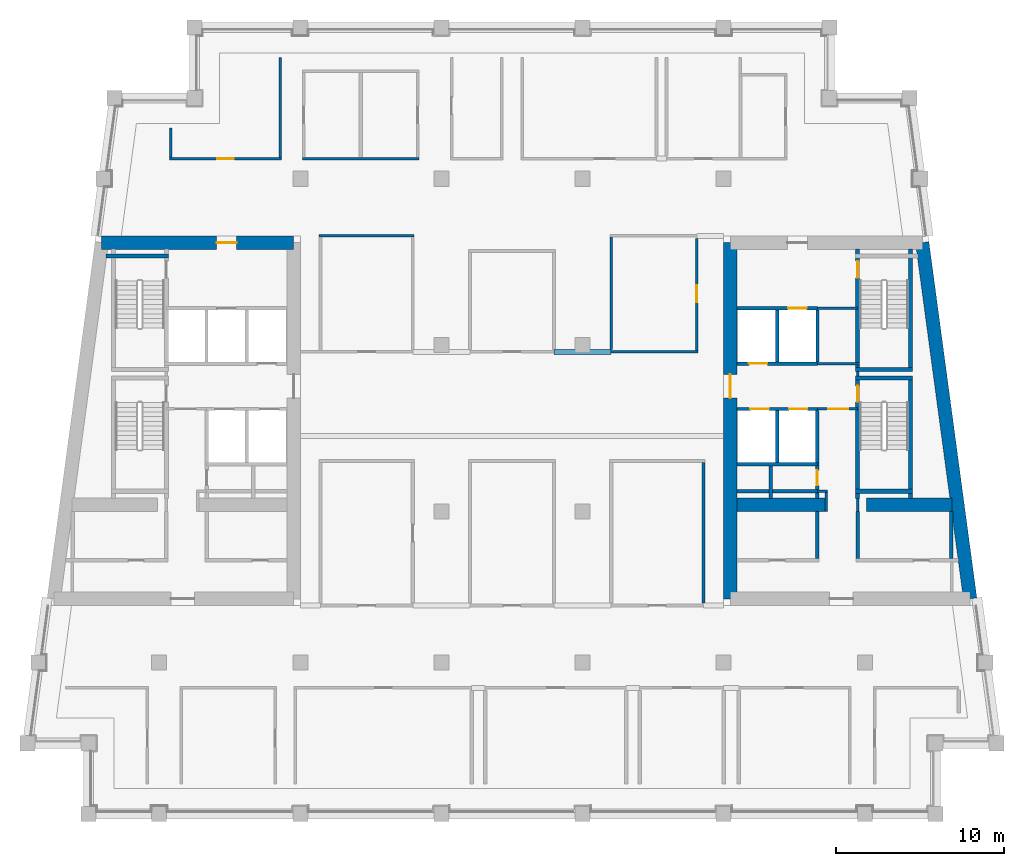
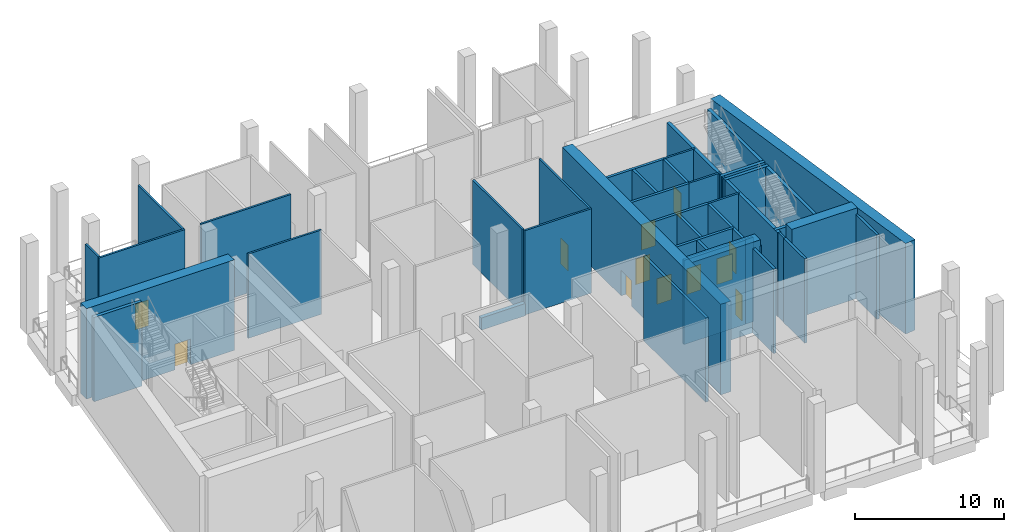
# One storey, part 4 of 10: 43 walls, 12 doors, 12 openings.
"""IFC4 building model written with IfcOpenShell, lengths in metres."""

from ifc_helpers import new_model, si_unit, direction, frame, frame_2d, origin, place, context, subcontext, project, spatial, rectangle, extrude, material, layer, layer_set, type_object, element, fill, save


model = new_model("IFC4")

# Units and contexts
model_context = context("Model", 3, precision=1e-05, world=origin(), true_north=direction((0.0, 1.0)))
body_context = subcontext(model_context, "Body", "Model", "MODEL_VIEW")
ifc_project = project(units=[si_unit("LENGTHUNIT", "METRE"), si_unit("AREAUNIT", "SQUARE_METRE"), si_unit("VOLUMEUNIT", "CUBIC_METRE"), si_unit("PLANEANGLEUNIT", "RADIAN"), si_unit("MASSUNIT", "GRAM", prefix="KILO")], contexts=[model_context])

# Site, building, storey
site_placement = place(None, origin())
site = spatial("IfcSite", under=ifc_project, at=site_placement, CompositionType="ELEMENT")
building_placement = place(site_placement, origin())
building = spatial("IfcBuilding", under=site, at=building_placement, Name="Candeia Pilgrim Tower and Theatre", CompositionType="ELEMENT")
storey_placement = place(building_placement, frame((0.0, 0.0, 246.60009765625)))
storey = spatial("IfcBuildingStorey", under=building, at=storey_placement, Name="L60", CompositionType="ELEMENT", Elevation=246.60009765625)

# Wall, opening, door
ifc_material_1 = material(Name="Concrete C50/60", Category="concrete")
ifc_layer_1 = layer(ifc_material_1, 0.800048828125)
ifc_layer_set_1 = layer_set([ifc_layer_1], Name="Core wall 800 C50/60")
wall_type_1 = type_object("IfcWallType", Name="Core wall 800 C50/60", PredefinedType="SHEAR", material=ifc_layer_set_1)
wall_1_placement = place(storey_placement, frame((88.98046875, 132.0, 0.0), z_axis=(0.0, 0.0, 1.0), x_axis=(1.0, 0.0, 0.0)))
wall_1 = element("IfcWall", 1, at=wall_1_placement, inside=storey, type_object=wall_type_1, Name="Core wall W1", PredefinedType="SHEAR", context=body_context, shape_type="SweptSolid", body=[
    extrude(rectangle(XDim=11.41943359375, YDim=0.800048828125, at=frame_2d((5.709716796875, 0.0))), origin(), (0.0, 0.0, 1.0), 7.39990234375),
])
opening_1_placement = place(wall_1_placement, frame((6.8330078125, 0.0, 0.0)))
opening_1 = element("IfcOpeningElement", 2, at=opening_1_placement, cuts=wall_1, Name="Opening L60-D035", PredefinedType="OPENING", context=body_context, shape_type="SweptSolid", body=[
    extrude(rectangle(XDim=1.199951171875, YDim=2.10009765625, at=frame_2d((0.60009765625, 1.050048828125))), frame((0.0, 0.41015625, 0.0), z_axis=(0.0, -1.0, 0.0), x_axis=(1.0, 0.0, 0.0)), (0.0, 0.0, 1.0), 0.820068359375),
])
ifc_material_2 = material(Name="Steel fire door set", Category="steel")
door_type_1 = type_object("IfcDoorType", Name="D-1200-FD60", OperationType="NOTDEFINED", PredefinedType="DOOR", material=ifc_material_2)
door_1_placement = place(opening_1_placement, origin())
door_1 = element("IfcDoor", 3, at=door_1_placement, inside=storey, type_object=door_type_1, Name="Door L60-D035", OperationType="SINGLE_SWING_LEFT", OverallHeight=2.10009765625, OverallWidth=1.199951171875, PredefinedType="DOOR", context=body_context, shape_type="SweptSolid", body=[
    extrude(rectangle(XDim=1.199951171875, YDim=2.10009765625, at=frame_2d((0.60009765625, 1.050048828125))), frame((0.0, 0.02490234375, 0.0), z_axis=(0.0, -1.0, 0.0), x_axis=(1.0, 0.0, 0.0)), (0.0, 0.0, 1.0), 0.050048828125),
])
fill(opening_1, door_1)

# Wall
wall_2_placement = place(storey_placement, frame((137.819580078125, 132.0, 0.0), z_axis=(0.0, 0.0, 1.0), x_axis=(0.133408347329, -0.991061154956, 0.0)))
element("IfcWall", 4, at=wall_2_placement, inside=storey, type_object=wall_type_1, Name="Core wall E2", PredefinedType="SHEAR", context=body_context, shape_type="SweptSolid", body=[
    extrude(rectangle(XDim=21.39111328125, YDim=0.800048828125, at=frame_2d((10.695556640625, 0.0))), origin(), (0.0, 0.0, 1.0), 7.39990234375),
])

# Wall, opening, door
wall_3_placement = place(storey_placement, frame((126.39990234375, 110.800048828125, 0.0), z_axis=(0.0, 0.0, 1.0), x_axis=(0.0, 1.0, 0.0)))
wall_3 = element("IfcWall", 5, at=wall_3_placement, inside=storey, type_object=wall_type_1, Name="Core wall E4", PredefinedType="SHEAR", context=body_context, shape_type="SweptSolid", body=[
    extrude(rectangle(XDim=21.199951171875, YDim=0.800048828125, at=frame_2d((10.60009765625, 0.0))), origin(), (0.0, 0.0, 1.0), 7.39990234375),
])
opening_2_placement = place(wall_3_placement, frame((11.949951171875, 0.0, 0.0)))
opening_2 = element("IfcOpeningElement", 6, at=opening_2_placement, cuts=wall_3, Name="Opening L60-D039", PredefinedType="OPENING", context=body_context, shape_type="SweptSolid", body=[
    extrude(rectangle(XDim=1.39990234375, YDim=2.10009765625, at=frame_2d((0.699951171875, 1.050048828125))), frame((0.0, 0.41015625, 0.0), z_axis=(0.0, -1.0, 0.0), x_axis=(1.0, 0.0, 0.0)), (0.0, 0.0, 1.0), 0.820068359375),
])
door_type_2 = type_object("IfcDoorType", Name="D-1400-FD60", OperationType="NOTDEFINED", PredefinedType="DOOR", material=ifc_material_2)
door_2_placement = place(opening_2_placement, origin())
door_2 = element("IfcDoor", 7, at=door_2_placement, inside=storey, type_object=door_type_2, Name="Door L60-D039", OperationType="SINGLE_SWING_LEFT", OverallHeight=2.10009765625, OverallWidth=1.39990234375, PredefinedType="DOOR", context=body_context, shape_type="SweptSolid", body=[
    extrude(rectangle(XDim=1.39990234375, YDim=2.10009765625, at=frame_2d((0.699951171875, 1.050048828125))), frame((0.0, 0.02490234375, 0.0), z_axis=(0.0, -1.0, 0.0), x_axis=(1.0, 0.0, 0.0)), (0.0, 0.0, 1.0), 0.050048828125),
])
fill(opening_2, door_2)

# Walls
wall_4_placement = place(storey_placement, frame((126.800048828125, 116.39990234375, 0.0), z_axis=(0.0, 0.0, 1.0), x_axis=(1.0, 0.0, 0.0)))
element("IfcWall", 8, at=wall_4_placement, inside=storey, type_object=wall_type_1, Name="Core wall E5", PredefinedType="SHEAR", context=body_context, shape_type="SweptSolid", body=[
    extrude(rectangle(XDim=5.300048828125, YDim=0.800048828125, at=frame_2d((2.64990234375, 0.0))), origin(), (0.0, 0.0, 1.0), 7.39990234375),
])
wall_5_placement = place(storey_placement, frame((134.5, 116.39990234375, 0.0), z_axis=(0.0, 0.0, 1.0), x_axis=(1.0, 0.0, 0.0)))
element("IfcWall", 9, at=wall_5_placement, inside=storey, type_object=wall_type_1, Name="Core wall E6", PredefinedType="SHEAR", context=body_context, shape_type="SweptSolid", body=[
    extrude(rectangle(XDim=5.076904296875, YDim=0.800048828125, at=frame_2d((2.53857421875, 0.0))), origin(), (0.0, 0.0, 1.0), 7.39990234375),
])
ifc_material_3 = material(Name="Concrete C30/37", Category="concrete")
ifc_layer_2 = layer(ifc_material_3, 0.300048828125)
ifc_layer_set_2 = layer_set([ifc_layer_2], Name="PL-300 planter kerb")
wall_type_2 = type_object("IfcWallType", Name="PL-300 planter kerb", PredefinedType="PARTITIONING", material=ifc_layer_set_2)
wall_6_placement = place(storey_placement, frame((115.89990234375, 125.5, 0.0), z_axis=(0.0, 0.0, 1.0), x_axis=(1.0, 0.0, 0.0)))
element("IfcWall", 10, at=wall_6_placement, inside=storey, type_object=wall_type_2, Name="Planter kerb L60-046", PredefinedType="PARTITIONING", context=body_context, shape_type="SweptSolid", body=[
    extrude(rectangle(XDim=3.400146484375, YDim=0.300048828125, at=frame_2d((1.7001953125, 0.0))), origin(), (0.0, 0.0, 1.0), 1.0),
])
ifc_material_4 = material(Name="Gypsum board partition on steel studs", Category="steel")
ifc_layer_3 = layer(ifc_material_4, 0.14990234375)
ifc_layer_set_3 = layer_set([ifc_layer_3], Name="PW-150 lobby wall")
wall_type_3 = type_object("IfcWallType", Name="PW-150 lobby wall", PredefinedType="PARTITIONING", material=ifc_layer_set_3)
wall_7_placement = place(storey_placement, frame((131.572998046875, 117.199951171875, 0.0), z_axis=(0.0, 0.0, 1.0), x_axis=(1.0, 0.0, 0.0)))
element("IfcWall", 11, at=wall_7_placement, inside=storey, type_object=wall_type_3, Name="Lobby wall L60-025", PredefinedType="PARTITIONING", context=body_context, shape_type="SweptSolid", body=[
    extrude(rectangle(XDim=0.60205078125, YDim=0.14990234375, at=frame_2d((0.301025390625, 0.0))), origin(), (0.0, 0.0, 1.0), 6.89990234375),
])

# Wall, opening, door
wall_8_placement = place(storey_placement, frame((131.572998046875, 122.10009765625, 0.0), z_axis=(0.0, 0.0, 1.0), x_axis=(1.0, 0.0, 0.0)))
wall_8 = element("IfcWall", 12, at=wall_8_placement, inside=storey, type_object=wall_type_3, Name="Lobby wall L60-037", PredefinedType="PARTITIONING", context=body_context, shape_type="SweptSolid", body=[
    extrude(rectangle(XDim=2.39990234375, YDim=0.14990234375, at=frame_2d((1.199951171875, 0.0))), origin(), (0.0, 0.0, 1.0), 6.89990234375),
])
opening_3_placement = place(wall_8_placement, frame((0.64990234375, 0.0, 0.0)))
opening_3 = element("IfcOpeningElement", 13, at=opening_3_placement, cuts=wall_8, Name="Opening L60-D028", PredefinedType="OPENING", context=body_context, shape_type="SweptSolid", body=[
    extrude(rectangle(XDim=1.199951171875, YDim=2.10009765625, at=frame_2d((0.60009765625, 1.050048828125))), frame((0.0, 0.0849609375, 0.0), z_axis=(0.0, -1.0, 0.0), x_axis=(1.0, 0.0, 0.0)), (0.0, 0.0, 1.0), 0.169921875),
])
door_3_placement = place(opening_3_placement, origin())
door_3 = element("IfcDoor", 14, at=door_3_placement, inside=storey, type_object=door_type_1, Name="Door L60-D028", OperationType="SINGLE_SWING_RIGHT", OverallHeight=2.10009765625, OverallWidth=1.199951171875, PredefinedType="DOOR", context=body_context, shape_type="SweptSolid", body=[
    extrude(rectangle(XDim=1.199951171875, YDim=2.10009765625, at=frame_2d((0.60009765625, 1.050048828125))), frame((0.0, 0.02490234375, 0.0), z_axis=(0.0, -1.0, 0.0), x_axis=(1.0, 0.0, 0.0)), (0.0, 0.0, 1.0), 0.050048828125),
])
fill(opening_3, door_3)

# Walls
wall_9_placement = place(storey_placement, frame((131.58203125, 124.800048828125, 0.0), z_axis=(0.0, 0.0, 1.0), x_axis=(1.0, 0.0, 0.0)))
element("IfcWall", 15, at=wall_9_placement, inside=storey, type_object=wall_type_3, Name="Lobby wall L60-044", PredefinedType="PARTITIONING", context=body_context, shape_type="SweptSolid", body=[
    extrude(rectangle(XDim=2.515869140625, YDim=0.14990234375, at=frame_2d((1.2578125, 0.0))), origin(), (0.0, 0.0, 1.0), 6.89990234375),
])
wall_10_placement = place(storey_placement, frame((131.58203125, 128.10009765625, 0.0), z_axis=(0.0, 0.0, 1.0), x_axis=(1.0, 0.0, 0.0)))
element("IfcWall", 16, at=wall_10_placement, inside=storey, type_object=wall_type_3, Name="Lobby wall L60-052", PredefinedType="PARTITIONING", context=body_context, shape_type="SweptSolid", body=[
    extrude(rectangle(XDim=2.390869140625, YDim=0.14990234375, at=frame_2d((1.1953125, 0.0))), origin(), (0.0, 0.0, 1.0), 6.89990234375),
])
wall_11_placement = place(storey_placement, frame((132.10009765625, 116.0, 0.0), z_axis=(0.0, 0.0, 1.0), x_axis=(0.0, 1.0, 0.0)))
element("IfcWall", 17, at=wall_11_placement, inside=storey, type_object=wall_type_3, Name="Lobby wall L60-124", PredefinedType="PARTITIONING", context=body_context, shape_type="SweptSolid", body=[
    extrude(rectangle(XDim=1.125, YDim=0.14990234375, at=frame_2d((0.5625, 0.0))), origin(), (0.0, 0.0, 1.0), 6.89990234375),
])
wall_12_placement = place(storey_placement, frame((133.972900390625, 116.0, 0.0), z_axis=(0.0, 0.0, 1.0), x_axis=(0.0, 1.0, 0.0)))
element("IfcWall", 18, at=wall_12_placement, inside=storey, type_object=wall_type_3, Name="Lobby wall L60-127", PredefinedType="PARTITIONING", context=body_context, shape_type="SweptSolid", body=[
    extrude(rectangle(XDim=0.77001953125, YDim=0.14990234375, at=frame_2d((0.385009765625, 0.0))), origin(), (0.0, 0.0, 1.0), 6.89990234375),
])
wall_13_placement = place(storey_placement, frame((133.972900390625, 124.074951171875, 0.0), z_axis=(0.0, 0.0, 1.0), x_axis=(0.0, 1.0, 0.0)))
element("IfcWall", 19, at=wall_13_placement, inside=storey, type_object=wall_type_3, Name="Lobby wall L60-128", PredefinedType="PARTITIONING", context=body_context, shape_type="SweptSolid", body=[
    extrude(rectangle(XDim=0.25, YDim=0.14990234375, at=frame_2d((0.125, 0.0))), origin(), (0.0, 0.0, 1.0), 6.89990234375),
])
ifc_layer_4 = layer(ifc_material_4, 0.14990234375)
ifc_layer_set_4 = layer_set([ifc_layer_4], Name="PW-150 unit wall")
wall_type_4 = type_object("IfcWallType", Name="PW-150 unit wall", PredefinedType="PARTITIONING", material=ifc_layer_set_4)
wall_14_placement = place(storey_placement, frame((119.300048828125, 125.5, 0.0), z_axis=(0.0, 0.0, 1.0), x_axis=(1.0, 0.0, 0.0)))
element("IfcWall", 20, at=wall_14_placement, inside=storey, type_object=wall_type_4, Name="Unit wall L60-049", PredefinedType="PARTITIONING", context=body_context, shape_type="SweptSolid", body=[
    extrude(rectangle(XDim=5.175048828125, YDim=0.14990234375, at=frame_2d((2.58740234375, 0.0))), origin(), (0.0, 0.0, 1.0), 6.89990234375),
])
wall_15_placement = place(storey_placement, frame((101.89990234375, 132.39990234375, 0.0), z_axis=(0.0, 0.0, 1.0), x_axis=(1.0, 0.0, 0.0)))
element("IfcWall", 21, at=wall_15_placement, inside=storey, type_object=wall_type_4, Name="Unit wall L60-057", PredefinedType="PARTITIONING", context=body_context, shape_type="SweptSolid", body=[
    extrude(rectangle(XDim=5.675048828125, YDim=0.14990234375, at=frame_2d((2.83740234375, 0.0))), origin(), (0.0, 0.0, 1.0), 6.89990234375),
])

# Wall, opening, door
wall_16_placement = place(storey_placement, frame((93.02490234375, 137.0, 0.0), z_axis=(0.0, 0.0, 1.0), x_axis=(1.0, 0.0, 0.0)))
wall_16 = element("IfcWall", 22, at=wall_16_placement, inside=storey, type_object=wall_type_4, Name="Unit wall L60-060", PredefinedType="PARTITIONING", context=body_context, shape_type="SweptSolid", body=[
    extrude(rectangle(XDim=6.650146484375, YDim=0.14990234375, at=frame_2d((3.3251953125, 0.0))), origin(), (0.0, 0.0, 1.0), 6.89990234375),
])
opening_4_placement = place(wall_16_placement, frame((2.824951171875, 0.0, 0.0)))
opening_4 = element("IfcOpeningElement", 23, at=opening_4_placement, cuts=wall_16, Name="Opening L60-D014", PredefinedType="OPENING", context=body_context, shape_type="SweptSolid", body=[
    extrude(rectangle(XDim=1.0, YDim=2.10009765625, at=frame_2d((0.5, 1.050048828125))), frame((0.0, 0.0849609375, 0.0), z_axis=(0.0, -1.0, 0.0), x_axis=(1.0, 0.0, 0.0)), (0.0, 0.0, 1.0), 0.169921875),
])
ifc_material_5 = material(Name="Timber door leaf", Category="wood")
door_type_3 = type_object("IfcDoorType", Name="D-1000", OperationType="NOTDEFINED", PredefinedType="DOOR", material=ifc_material_5)
door_4_placement = place(opening_4_placement, origin())
door_4 = element("IfcDoor", 24, at=door_4_placement, inside=storey, type_object=door_type_3, Name="Door L60-D014", OperationType="SINGLE_SWING_RIGHT", OverallHeight=2.10009765625, OverallWidth=1.0, PredefinedType="DOOR", context=body_context, shape_type="SweptSolid", body=[
    extrude(rectangle(XDim=1.0, YDim=2.10009765625, at=frame_2d((0.5, 1.050048828125))), frame((0.0, 0.02490234375, 0.0), z_axis=(0.0, -1.0, 0.0), x_axis=(1.0, 0.0, 0.0)), (0.0, 0.0, 1.0), 0.050048828125),
])
fill(opening_4, door_4)

# Walls
wall_17_placement = place(storey_placement, frame((100.925048828125, 137.0, 0.0), z_axis=(0.0, 0.0, 1.0), x_axis=(1.0, 0.0, 0.0)))
element("IfcWall", 25, at=wall_17_placement, inside=storey, type_object=wall_type_4, Name="Unit wall L60-061", PredefinedType="PARTITIONING", context=body_context, shape_type="SweptSolid", body=[
    extrude(rectangle(XDim=6.949951171875, YDim=0.14990234375, at=frame_2d((3.47509765625, 0.0))), origin(), (0.0, 0.0, 1.0), 6.89990234375),
])
wall_18_placement = place(storey_placement, frame((93.10009765625, 137.074951171875, 0.0), z_axis=(0.0, 0.0, 1.0), x_axis=(0.0, 1.0, 0.0)))
element("IfcWall", 26, at=wall_18_placement, inside=storey, type_object=wall_type_4, Name="Unit wall L60-077", PredefinedType="PARTITIONING", context=body_context, shape_type="SweptSolid", body=[
    extrude(rectangle(XDim=1.735107421875, YDim=0.14990234375, at=frame_2d((0.86767578125, 0.0))), origin(), (0.0, 0.0, 1.0), 6.89990234375),
])
wall_19_placement = place(storey_placement, frame((99.60009765625, 137.074951171875, 0.0), z_axis=(0.0, 0.0, 1.0), x_axis=(0.0, 1.0, 0.0)))
element("IfcWall", 27, at=wall_19_placement, inside=storey, type_object=wall_type_4, Name="Unit wall L60-087", PredefinedType="PARTITIONING", context=body_context, shape_type="SweptSolid", body=[
    extrude(rectangle(XDim=5.93505859375, YDim=0.14990234375, at=frame_2d((2.967529296875, 0.0))), origin(), (0.0, 0.0, 1.0), 6.89990234375),
])
wall_20_placement = place(storey_placement, frame((119.300048828125, 125.64990234375, 0.0), z_axis=(0.0, 0.0, 1.0), x_axis=(0.0, 1.0, 0.0)))
element("IfcWall", 28, at=wall_20_placement, inside=storey, type_object=wall_type_4, Name="Unit wall L60-106", PredefinedType="PARTITIONING", context=body_context, shape_type="SweptSolid", body=[
    extrude(rectangle(XDim=6.675048828125, YDim=0.14990234375, at=frame_2d((3.33740234375, 0.0))), origin(), (0.0, 0.0, 1.0), 6.89990234375),
])

# Wall, opening, door
wall_21_placement = place(storey_placement, frame((124.39990234375, 125.574951171875, 0.0), z_axis=(0.0, 0.0, 1.0), x_axis=(0.0, 1.0, 0.0)))
wall_21 = element("IfcWall", 29, at=wall_21_placement, inside=storey, type_object=wall_type_4, Name="Unit wall L60-111", PredefinedType="PARTITIONING", context=body_context, shape_type="SweptSolid", body=[
    extrude(rectangle(XDim=6.675048828125, YDim=0.14990234375, at=frame_2d((3.33740234375, 0.0))), origin(), (0.0, 0.0, 1.0), 6.89990234375),
])
opening_5_placement = place(wall_21_placement, frame((2.875, 0.0, 0.0)))
opening_5 = element("IfcOpeningElement", 30, at=opening_5_placement, cuts=wall_21, Name="Opening L60-D020", PredefinedType="OPENING", context=body_context, shape_type="SweptSolid", body=[
    extrude(rectangle(XDim=1.0, YDim=2.10009765625, at=frame_2d((0.5, 1.050048828125))), frame((0.0, 0.0849609375, 0.0), z_axis=(0.0, -1.0, 0.0), x_axis=(1.0, 0.0, 0.0)), (0.0, 0.0, 1.0), 0.169921875),
])
door_5_placement = place(opening_5_placement, origin())
door_5 = element("IfcDoor", 31, at=door_5_placement, inside=storey, type_object=door_type_3, Name="Door L60-D020", OperationType="SINGLE_SWING_RIGHT", OverallHeight=2.10009765625, OverallWidth=1.0, PredefinedType="DOOR", context=body_context, shape_type="SweptSolid", body=[
    extrude(rectangle(XDim=1.0, YDim=2.10009765625, at=frame_2d((0.5, 1.050048828125))), frame((0.0, 0.02490234375, 0.0), z_axis=(0.0, -1.0, 0.0), x_axis=(1.0, 0.0, 0.0)), (0.0, 0.0, 1.0), 0.050048828125),
])
fill(opening_5, door_5)

# Walls
ifc_layer_5 = layer(ifc_material_4, 0.199951171875)
ifc_layer_set_5 = layer_set([ifc_layer_5], Name="PW-200 party wall")
wall_type_5 = type_object("IfcWallType", Name="PW-200 party wall", PredefinedType="PARTITIONING", material=ifc_layer_set_5)
wall_22_placement = place(storey_placement, frame((124.800048828125, 110.550048828125, 0.0), z_axis=(0.0, 0.0, 1.0), x_axis=(0.0, 1.0, 0.0)))
element("IfcWall", 32, at=wall_22_placement, inside=storey, type_object=wall_type_5, Name="Party wall L60-112", PredefinedType="PARTITIONING", context=body_context, shape_type="SweptSolid", body=[
    extrude(rectangle(XDim=8.349853515625, YDim=0.199951171875, at=frame_2d((4.1748046875, 0.0))), origin(), (0.0, 0.0, 1.0), 6.89990234375),
])
ifc_material_6 = material(Name="Concrete C40/50", Category="concrete")
ifc_layer_6 = layer(ifc_material_6, 0.199951171875)
ifc_layer_set_6 = layer_set([ifc_layer_6], Name="SW-200 shaft wall")
wall_type_6 = type_object("IfcWallType", Name="SW-200 shaft wall", PredefinedType="PARTITIONING", material=ifc_layer_set_6)
for number, where, z_axis, x_axis, name in (
    (33, (126.800048828125, 117.199951171875, 0.0), (0.0, 0.0, 1.0), (1.0, 0.0, 0.0), "Shaft wall L60-023"),
    (34, (126.800048828125, 118.800048828125, 0.0), (0.0, 0.0, 1.0), (1.0, 0.0, 0.0), "Shaft wall L60-029"),
):
    element("IfcWall", number, at=place(storey_placement, frame(where, z_axis=z_axis, x_axis=x_axis)), inside=storey, type_object=wall_type_6, Name=name, PredefinedType="PARTITIONING", context=body_context, shape_type="SweptSolid", body=[
        extrude(rectangle(XDim=4.77294921875, YDim=0.199951171875, at=frame_2d((2.386474609375, 0.0))), origin(), (0.0, 0.0, 1.0), 6.89990234375),
    ])

# Wall, openings, doors
wall_23_placement = place(storey_placement, frame((126.800048828125, 122.10009765625, 0.0), z_axis=(0.0, 0.0, 1.0), x_axis=(1.0, 0.0, 0.0)))
wall_23 = element("IfcWall", 35, at=wall_23_placement, inside=storey, type_object=wall_type_6, Name="Shaft wall L60-035", PredefinedType="PARTITIONING", context=body_context, shape_type="SweptSolid", body=[
    extrude(rectangle(XDim=4.77294921875, YDim=0.199951171875, at=frame_2d((2.386474609375, 0.0))), origin(), (0.0, 0.0, 1.0), 6.89990234375),
])
opening_6_placement = place(wall_23_placement, frame((3.087890625, 0.0, 0.0)))
opening_6 = element("IfcOpeningElement", 36, at=opening_6_placement, cuts=wall_23, Name="Opening L60-LD05", PredefinedType="OPENING", context=body_context, shape_type="SweptSolid", body=[
    extrude(rectangle(XDim=1.10009765625, YDim=2.10009765625, at=frame_2d((0.550048828125, 1.050048828125))), frame((0.0, 0.10986328125, 0.0), z_axis=(0.0, -1.0, 0.0), x_axis=(1.0, 0.0, 0.0)), (0.0, 0.0, 1.0), 0.219970703125),
])
opening_7_placement = place(wall_23_placement, frame((0.7900390625, 0.0, 0.0)))
opening_7 = element("IfcOpeningElement", 37, at=opening_7_placement, cuts=wall_23, Name="Opening L60-LD06", PredefinedType="OPENING", context=body_context, shape_type="SweptSolid", body=[
    extrude(rectangle(XDim=1.10009765625, YDim=2.10009765625, at=frame_2d((0.550048828125, 1.050048828125))), frame((0.0, 0.10986328125, 0.0), z_axis=(0.0, -1.0, 0.0), x_axis=(1.0, 0.0, 0.0)), (0.0, 0.0, 1.0), 0.219970703125),
])
ifc_material_7 = material(Name="Glazed aluminium landing door", Category="aluminium")
door_type_4 = type_object("IfcDoorType", Name="LD-1100-EI120", OperationType="SLIDING_TO_LEFT", PredefinedType="DOOR", material=ifc_material_7)
door_6_placement = place(opening_6_placement, origin())
door_6 = element("IfcDoor", 38, at=door_6_placement, inside=storey, type_object=door_type_4, Name="Landing door 05 L60", OperationType="SLIDING_TO_LEFT", OverallHeight=2.10009765625, OverallWidth=1.10009765625, PredefinedType="DOOR", context=body_context, shape_type="SweptSolid", body=[
    extrude(rectangle(XDim=1.10009765625, YDim=2.10009765625, at=frame_2d((0.550048828125, 1.050048828125))), frame((0.0, 0.02490234375, 0.0), z_axis=(0.0, -1.0, 0.0), x_axis=(1.0, 0.0, 0.0)), (0.0, 0.0, 1.0), 0.050048828125),
])
fill(opening_6, door_6)
door_7_placement = place(opening_7_placement, origin())
door_7 = element("IfcDoor", 39, at=door_7_placement, inside=storey, type_object=door_type_4, Name="Landing door 06 L60", OperationType="SLIDING_TO_LEFT", OverallHeight=2.10009765625, OverallWidth=1.10009765625, PredefinedType="DOOR", context=body_context, shape_type="SweptSolid", body=[
    extrude(rectangle(XDim=1.10009765625, YDim=2.10009765625, at=frame_2d((0.550048828125, 1.050048828125))), frame((0.0, 0.02490234375, 0.0), z_axis=(0.0, -1.0, 0.0), x_axis=(1.0, 0.0, 0.0)), (0.0, 0.0, 1.0), 0.050048828125),
])
fill(opening_7, door_7)

# Wall, opening, door
wall_24_placement = place(storey_placement, frame((126.800048828125, 124.800048828125, 0.0), z_axis=(0.0, 0.0, 1.0), x_axis=(1.0, 0.0, 0.0)))
wall_24 = element("IfcWall", 40, at=wall_24_placement, inside=storey, type_object=wall_type_6, Name="Shaft wall L60-043", PredefinedType="PARTITIONING", context=body_context, shape_type="SweptSolid", body=[
    extrude(rectangle(XDim=4.781982421875, YDim=0.199951171875, at=frame_2d((2.39111328125, 0.0))), origin(), (0.0, 0.0, 1.0), 6.89990234375),
])
opening_8_placement = place(wall_24_placement, frame((0.705078125, 0.0, 0.0)))
opening_8 = element("IfcOpeningElement", 41, at=opening_8_placement, cuts=wall_24, Name="Opening L60-LD08", PredefinedType="OPENING", context=body_context, shape_type="SweptSolid", body=[
    extrude(rectangle(XDim=1.10009765625, YDim=2.10009765625, at=frame_2d((0.550048828125, 1.050048828125))), frame((0.0, 0.10986328125, 0.0), z_axis=(0.0, -1.0, 0.0), x_axis=(1.0, 0.0, 0.0)), (0.0, 0.0, 1.0), 0.219970703125),
])
door_8_placement = place(opening_8_placement, origin())
door_8 = element("IfcDoor", 42, at=door_8_placement, inside=storey, type_object=door_type_4, Name="Landing door 08 L60", OperationType="SLIDING_TO_LEFT", OverallHeight=2.10009765625, OverallWidth=1.10009765625, PredefinedType="DOOR", context=body_context, shape_type="SweptSolid", body=[
    extrude(rectangle(XDim=1.10009765625, YDim=2.10009765625, at=frame_2d((0.550048828125, 1.050048828125))), frame((0.0, 0.02490234375, 0.0), z_axis=(0.0, -1.0, 0.0), x_axis=(1.0, 0.0, 0.0)), (0.0, 0.0, 1.0), 0.050048828125),
])
fill(opening_8, door_8)

wall_25_placement = place(storey_placement, frame((126.800048828125, 128.10009765625, 0.0), z_axis=(0.0, 0.0, 1.0), x_axis=(1.0, 0.0, 0.0)))
wall_25 = element("IfcWall", 43, at=wall_25_placement, inside=storey, type_object=wall_type_6, Name="Shaft wall L60-051", PredefinedType="PARTITIONING", context=body_context, shape_type="SweptSolid", body=[
    extrude(rectangle(XDim=4.781982421875, YDim=0.199951171875, at=frame_2d((2.39111328125, 0.0))), origin(), (0.0, 0.0, 1.0), 6.89990234375),
])
opening_9_placement = place(wall_25_placement, frame((3.035888671875, 0.0, 0.0)))
opening_9 = element("IfcOpeningElement", 44, at=opening_9_placement, cuts=wall_25, Name="Opening L60-LD07", PredefinedType="OPENING", context=body_context, shape_type="SweptSolid", body=[
    extrude(rectangle(XDim=1.10009765625, YDim=2.10009765625, at=frame_2d((0.550048828125, 1.050048828125))), frame((0.0, 0.10986328125, 0.0), z_axis=(0.0, -1.0, 0.0), x_axis=(1.0, 0.0, 0.0)), (0.0, 0.0, 1.0), 0.219970703125),
])
door_9_placement = place(opening_9_placement, origin())
door_9 = element("IfcDoor", 45, at=door_9_placement, inside=storey, type_object=door_type_4, Name="Landing door 07 L60", OperationType="SLIDING_TO_LEFT", OverallHeight=2.10009765625, OverallWidth=1.10009765625, PredefinedType="DOOR", context=body_context, shape_type="SweptSolid", body=[
    extrude(rectangle(XDim=1.10009765625, YDim=2.10009765625, at=frame_2d((0.550048828125, 1.050048828125))), frame((0.0, 0.02490234375, 0.0), z_axis=(0.0, -1.0, 0.0), x_axis=(1.0, 0.0, 0.0)), (0.0, 0.0, 1.0), 0.050048828125),
])
fill(opening_9, door_9)

# Walls
wall_26_placement = place(storey_placement, frame((128.800048828125, 116.77001953125, 0.0), z_axis=(0.0, 0.0, 1.0), x_axis=(0.0, 1.0, 0.0)))
element("IfcWall", 46, at=wall_26_placement, inside=storey, type_object=wall_type_6, Name="Shaft wall L60-117", PredefinedType="PARTITIONING", context=body_context, shape_type="SweptSolid", body=[
    extrude(rectangle(XDim=1.929931640625, YDim=0.199951171875, at=frame_2d((0.96484375, 0.0))), origin(), (0.0, 0.0, 1.0), 6.89990234375),
])
for number, where, z_axis, x_axis, name in (
    (47, (129.1865234375, 118.89990234375, 0.0), (0.0, 0.0, 1.0), (0.0, 1.0, 0.0), "Shaft wall L60-118"),
    (48, (129.19091796875, 124.89990234375, 0.0), (0.0, 0.0, 1.0), (0.0, 1.0, 0.0), "Shaft wall L60-119"),
):
    element("IfcWall", number, at=place(storey_placement, frame(where, z_axis=z_axis, x_axis=x_axis)), inside=storey, type_object=wall_type_6, Name=name, PredefinedType="PARTITIONING", context=body_context, shape_type="SweptSolid", body=[
        extrude(rectangle(XDim=3.10009765625, YDim=0.199951171875, at=frame_2d((1.550048828125, 0.0))), origin(), (0.0, 0.0, 1.0), 6.89990234375),
    ])
wall_27_placement = place(storey_placement, frame((131.572998046875, 113.199951171875, 0.0), z_axis=(0.0, 0.0, 1.0), x_axis=(0.0, 1.0, 0.0)))
element("IfcWall", 49, at=wall_27_placement, inside=storey, type_object=wall_type_6, Name="Shaft wall L60-121", PredefinedType="PARTITIONING", context=body_context, shape_type="SweptSolid", body=[
    extrude(rectangle(XDim=2.800048828125, YDim=0.199951171875, at=frame_2d((1.39990234375, 0.0))), origin(), (0.0, 0.0, 1.0), 6.89990234375),
])

# Wall, opening, door
wall_28_placement = place(storey_placement, frame((131.572998046875, 116.77001953125, 0.0), z_axis=(0.0, 0.0, 1.0), x_axis=(0.0, 1.0, 0.0)))
wall_28 = element("IfcWall", 50, at=wall_28_placement, inside=storey, type_object=wall_type_6, Name="Shaft wall L60-122", PredefinedType="PARTITIONING", context=body_context, shape_type="SweptSolid", body=[
    extrude(rectangle(XDim=5.22998046875, YDim=0.199951171875, at=frame_2d((2.614990234375, 0.0))), origin(), (0.0, 0.0, 1.0), 6.89990234375),
])
opening_10_placement = place(wall_28_placement, frame((0.780029296875, 0.0, 0.0)))
opening_10 = element("IfcOpeningElement", 51, at=opening_10_placement, cuts=wall_28, Name="Opening L60-D031", PredefinedType="OPENING", context=body_context, shape_type="SweptSolid", body=[
    extrude(rectangle(XDim=0.89990234375, YDim=2.10009765625, at=frame_2d((0.449951171875, 1.050048828125))), frame((0.0, 0.10986328125, 0.0), z_axis=(0.0, -1.0, 0.0), x_axis=(1.0, 0.0, 0.0)), (0.0, 0.0, 1.0), 0.219970703125),
])
door_type_5 = type_object("IfcDoorType", Name="D-900-FD60", OperationType="NOTDEFINED", PredefinedType="DOOR", material=ifc_material_2)
door_10_placement = place(opening_10_placement, origin())
door_10 = element("IfcDoor", 52, at=door_10_placement, inside=storey, type_object=door_type_5, Name="Door L60-D031", OperationType="SINGLE_SWING_LEFT", OverallHeight=2.10009765625, OverallWidth=0.89990234375, PredefinedType="DOOR", context=body_context, shape_type="SweptSolid", body=[
    extrude(rectangle(XDim=0.89990234375, YDim=2.10009765625, at=frame_2d((0.449951171875, 1.050048828125))), frame((0.0, 0.02490234375, 0.0), z_axis=(0.0, -1.0, 0.0), x_axis=(1.0, 0.0, 0.0)), (0.0, 0.0, 1.0), 0.050048828125),
])
fill(opening_10, door_10)

# Walls
wall_29_placement = place(storey_placement, frame((131.58203125, 124.89990234375, 0.0), z_axis=(0.0, 0.0, 1.0), x_axis=(0.0, 1.0, 0.0)))
element("IfcWall", 53, at=wall_29_placement, inside=storey, type_object=wall_type_6, Name="Shaft wall L60-123", PredefinedType="PARTITIONING", context=body_context, shape_type="SweptSolid", body=[
    extrude(rectangle(XDim=3.10009765625, YDim=0.199951171875, at=frame_2d((1.550048828125, 0.0))), origin(), (0.0, 0.0, 1.0), 6.89990234375),
])
for number, where, z_axis, x_axis, name in (
    (54, (133.972900390625, 113.199951171875, 0.0), (0.0, 0.0, 1.0), (0.0, 1.0, 0.0), "Shaft wall L60-126"),
    (55, (139.550537109375, 113.199951171875, 0.0), (0.0, 0.0, 1.0), (0.0, 1.0, 0.0), "Shaft wall L60-134"),
):
    element("IfcWall", number, at=place(storey_placement, frame(where, z_axis=z_axis, x_axis=x_axis)), inside=storey, type_object=wall_type_6, Name=name, PredefinedType="PARTITIONING", context=body_context, shape_type="SweptSolid", body=[
        extrude(rectangle(XDim=2.800048828125, YDim=0.199951171875, at=frame_2d((1.39990234375, 0.0))), origin(), (0.0, 0.0, 1.0), 6.89990234375),
    ])
ifc_layer_7 = layer(ifc_material_6, 0.25)
ifc_layer_set_7 = layer_set([ifc_layer_7], Name="SW-250 stair wall")
wall_type_7 = type_object("IfcWallType", Name="SW-250 stair wall", PredefinedType="PARTITIONING", material=ifc_layer_set_7)
for number, where, z_axis, x_axis, name in (
    (56, (133.847900390625, 117.199951171875, 0.0), (0.0, 0.0, 1.0), (1.0, 0.0, 0.0), "Stair wall L60-027"),
    (57, (133.847900390625, 123.949951171875, 0.0), (0.0, 0.0, 1.0), (1.0, 0.0, 0.0), "Stair wall L60-039"),
    (58, (133.847900390625, 124.449951171875, 0.0), (0.0, 0.0, 1.0), (1.0, 0.0, 0.0), "Stair wall L60-041"),
):
    element("IfcWall", number, at=place(storey_placement, frame(where, z_axis=z_axis, x_axis=x_axis)), inside=storey, type_object=wall_type_7, Name=name, PredefinedType="PARTITIONING", context=body_context, shape_type="SweptSolid", body=[
        extrude(rectangle(XDim=3.400146484375, YDim=0.25, at=frame_2d((1.7001953125, 0.0))), origin(), (0.0, 0.0, 1.0), 6.89990234375),
    ])
wall_30_placement = place(storey_placement, frame((89.246337890625, 131.199951171875, 0.0), z_axis=(0.0, 0.0, 1.0), x_axis=(1.0, 0.0, 0.0)))
element("IfcWall", 59, at=wall_30_placement, inside=storey, type_object=wall_type_7, Name="Stair wall L60-053", PredefinedType="PARTITIONING", context=body_context, shape_type="SweptSolid", body=[
    extrude(rectangle(XDim=3.70556640625, YDim=0.25, at=frame_2d((1.852783203125, 0.0))), origin(), (0.0, 0.0, 1.0), 6.89990234375),
])

# Wall, opening, door
wall_31_placement = place(storey_placement, frame((133.972900390625, 116.77001953125, 0.0), z_axis=(0.0, 0.0, 1.0), x_axis=(0.0, 1.0, 0.0)))
wall_31 = element("IfcWall", 60, at=wall_31_placement, inside=storey, type_object=wall_type_7, Name="Stair wall L60-129", PredefinedType="PARTITIONING", context=body_context, shape_type="SweptSolid", body=[
    extrude(rectangle(XDim=7.054931640625, YDim=0.25, at=frame_2d((3.52734375, 0.0))), origin(), (0.0, 0.0, 1.0), 6.89990234375),
])
opening_11_placement = place(wall_31_placement, frame((5.7548828125, 0.0, 0.0)))
opening_11 = element("IfcOpeningElement", 61, at=opening_11_placement, cuts=wall_31, Name="Opening L60-D029", PredefinedType="OPENING", context=body_context, shape_type="SweptSolid", body=[
    extrude(rectangle(XDim=0.949951171875, YDim=2.10009765625, at=frame_2d((0.47509765625, 1.050048828125))), frame((0.0, 0.135009765625, 0.0), z_axis=(0.0, -1.0, 0.0), x_axis=(1.0, 0.0, 0.0)), (0.0, 0.0, 1.0), 0.27001953125),
])
door_type_6 = type_object("IfcDoorType", Name="D-950-FD60", OperationType="NOTDEFINED", PredefinedType="DOOR", material=ifc_material_2)
door_11_placement = place(opening_11_placement, origin())
door_11 = element("IfcDoor", 62, at=door_11_placement, inside=storey, type_object=door_type_6, Name="Door L60-D029", OperationType="SINGLE_SWING_LEFT", OverallHeight=2.10009765625, OverallWidth=0.949951171875, PredefinedType="DOOR", context=body_context, shape_type="SweptSolid", body=[
    extrude(rectangle(XDim=0.949951171875, YDim=2.10009765625, at=frame_2d((0.47509765625, 1.050048828125))), frame((0.0, 0.02490234375, 0.0), z_axis=(0.0, -1.0, 0.0), x_axis=(1.0, 0.0, 0.0)), (0.0, 0.0, 1.0), 0.050048828125),
])
fill(opening_11, door_11)

wall_32_placement = place(storey_placement, frame((133.972900390625, 124.574951171875, 0.0), z_axis=(0.0, 0.0, 1.0), x_axis=(0.0, 1.0, 0.0)))
wall_32 = element("IfcWall", 63, at=wall_32_placement, inside=storey, type_object=wall_type_7, Name="Stair wall L60-130", PredefinedType="PARTITIONING", context=body_context, shape_type="SweptSolid", body=[
    extrude(rectangle(XDim=7.054931640625, YDim=0.25, at=frame_2d((3.52734375, 0.0))), origin(), (0.0, 0.0, 1.0), 6.89990234375),
])
opening_12_placement = place(wall_32_placement, frame((5.324951171875, 0.0, 0.0)))
opening_12 = element("IfcOpeningElement", 64, at=opening_12_placement, cuts=wall_32, Name="Opening L60-D030", PredefinedType="OPENING", context=body_context, shape_type="SweptSolid", body=[
    extrude(rectangle(XDim=1.0, YDim=2.10009765625, at=frame_2d((0.5, 1.050048828125))), frame((0.0, 0.135009765625, 0.0), z_axis=(0.0, -1.0, 0.0), x_axis=(1.0, 0.0, 0.0)), (0.0, 0.0, 1.0), 0.27001953125),
])
door_type_7 = type_object("IfcDoorType", Name="D-1000-FD60", OperationType="NOTDEFINED", PredefinedType="DOOR", material=ifc_material_2)
door_12_placement = place(opening_12_placement, origin())
door_12 = element("IfcDoor", 65, at=door_12_placement, inside=storey, type_object=door_type_7, Name="Door L60-D030", OperationType="SINGLE_SWING_RIGHT", OverallHeight=2.10009765625, OverallWidth=1.0, PredefinedType="DOOR", context=body_context, shape_type="SweptSolid", body=[
    extrude(rectangle(XDim=1.0, YDim=2.10009765625, at=frame_2d((0.5, 1.050048828125))), frame((0.0, 0.02490234375, 0.0), z_axis=(0.0, -1.0, 0.0), x_axis=(1.0, 0.0, 0.0)), (0.0, 0.0, 1.0), 0.050048828125),
])
fill(opening_12, door_12)

# Walls
for number, where, z_axis, x_axis, name in (
    (66, (137.123046875, 116.77001953125, 0.0), (0.0, 0.0, 1.0), (0.0, 1.0, 0.0), "Stair wall L60-132"),
    (67, (137.123046875, 124.574951171875, 0.0), (0.0, 0.0, 1.0), (0.0, 1.0, 0.0), "Stair wall L60-133"),
):
    element("IfcWall", number, at=place(storey_placement, frame(where, z_axis=z_axis, x_axis=x_axis)), inside=storey, type_object=wall_type_7, Name=name, PredefinedType="PARTITIONING", context=body_context, shape_type="SweptSolid", body=[
        extrude(rectangle(XDim=7.054931640625, YDim=0.25, at=frame_2d((3.52734375, 0.0))), origin(), (0.0, 0.0, 1.0), 6.89990234375),
    ])

save(model, "model.ifc")
